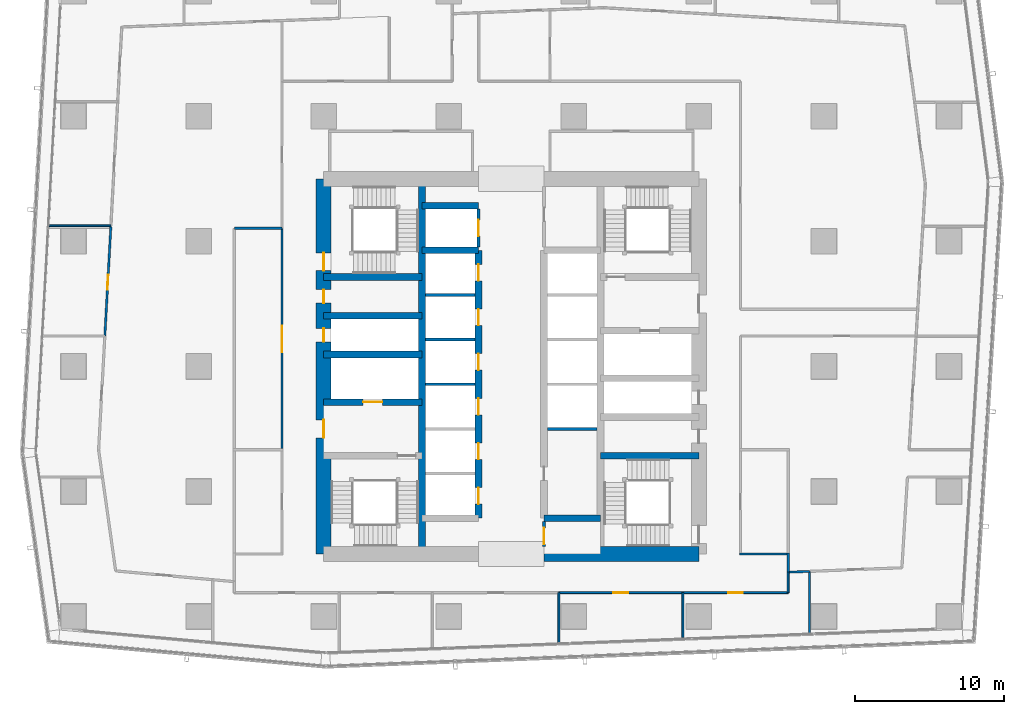
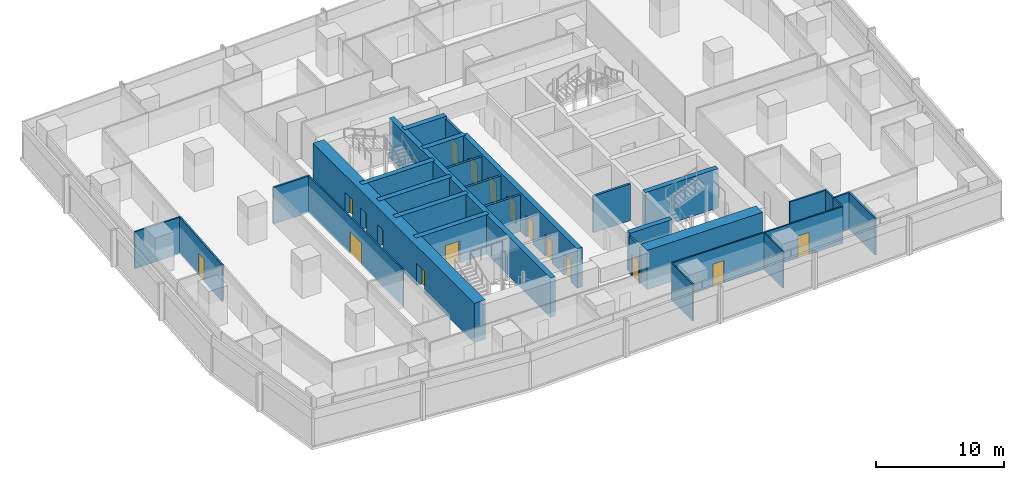
# One storey, part 29 of 40: 31 walls, 17 doors, 17 openings.
"""IFC4 building model written with IfcOpenShell, lengths in metres."""

import ifcopenshell
import ifcopenshell.guid

model = None  # the IFC model being written
_history = None  # IfcOwnerHistory: only IFC2X3 demands one
_inside = {}  # id of a spatial element -> (the spatial element, [elements in it])
_under = {}  # id of a project, library or spatial element -> (it, [spatial elements below it])
_declared = {}  # id of a project -> (the project, [libraries it declares])
_typed = {}  # id of a type object -> (the type object, [elements of that type])
_made_of = {}  # id of a material, layer set ... -> (it, [elements and type objects made of it])


def new_model(schema):
    """Start an empty IFC model of exactly this schema.

    Asked for "IFC4X3", IfcOpenShell would pick the latest addendum, in which some entities
    have other attributes; the version numbers below select the first issue.
    IFC2X3 requires an IfcOwnerHistory on every rooted entity: one is made here for all.
    """
    global model, _history
    if schema == "IFC4X3":
        model = ifcopenshell.file(schema_version=(4, 3, 0, 0))
    else:
        model = ifcopenshell.file(schema=schema)
    _inside.clear()
    _under.clear()
    _declared.clear()
    _typed.clear()
    _made_of.clear()
    _history = None
    if model.schema == "IFC2X3":
        org = make("IfcOrganization", Name="unknown")
        user = make(
            "IfcPersonAndOrganization",
            ThePerson=make("IfcPerson", FamilyName="unknown"),
            TheOrganization=org,
        )
        app = make(
            "IfcApplication",
            ApplicationDeveloper=org,
            Version="unknown",
            ApplicationFullName="unknown",
            ApplicationIdentifier="unknown",
        )
        _history = make(
            "IfcOwnerHistory",
            OwningUser=user,
            OwningApplication=app,
            ChangeAction="ADDED",
            CreationDate=0,
        )
    return model


def make(cls, **values):
    """One entity of the class cls with the attributes given. An attribute that is None is left unset."""
    return model.create_entity(
        cls, **{name: value for name, value in values.items() if value is not None}
    )


def rooted(cls, **values):
    """An entity with a GlobalId (a new one), such as an element, a storey or a relation."""
    return make(cls, GlobalId=ifcopenshell.guid.new(), OwnerHistory=_history, **values)


def si_unit(unit_type, name, prefix=None):
    """IfcSIUnit, for example si_unit("LENGTHUNIT", "METRE", prefix="MILLI")."""
    return make("IfcSIUnit", UnitType=unit_type, Prefix=prefix, Name=name)


def assignment(units):
    """IfcUnitAssignment: the units of a project."""
    return None if units is None else make("IfcUnitAssignment", Units=units)


def point(xyz):
    """IfcCartesianPoint."""
    return None if xyz is None else make("IfcCartesianPoint", Coordinates=xyz)


def direction(xyz):
    """IfcDirection."""
    return None if xyz is None else make("IfcDirection", DirectionRatios=xyz)


def frame(location, z_axis=None, x_axis=None):
    """IfcAxis2Placement3D, a coordinate frame: its origin and axes. An axis left out is left unset."""
    return make(
        "IfcAxis2Placement3D",
        Location=point(location),
        Axis=direction(z_axis),
        RefDirection=direction(x_axis),
    )


def frame_2d(location, x_axis=None):
    """IfcAxis2Placement2D, a coordinate frame in the plane: its origin and x axis."""
    return make(
        "IfcAxis2Placement2D", Location=point(location), RefDirection=direction(x_axis)
    )


def origin():
    """The frame at (0, 0, 0) with its axes left unset."""
    return frame((0.0, 0.0, 0.0))


def place(relative_to, where):
    """IfcLocalPlacement: puts the frame where relative to a parent placement (None: the world)."""
    return make(
        "IfcLocalPlacement", PlacementRelTo=relative_to, RelativePlacement=where
    )


def context(
    kind, dimensions, precision=None, world=None, true_north=None, identifier=None
):
    """IfcGeometricRepresentationContext, for example the 3D "Model" context."""
    return make(
        "IfcGeometricRepresentationContext",
        ContextIdentifier=identifier,
        ContextType=kind,
        CoordinateSpaceDimension=dimensions,
        Precision=precision,
        WorldCoordinateSystem=world,
        TrueNorth=true_north,
    )


def subcontext(parent, identifier, kind, view, scale=None):
    """IfcGeometricRepresentationSubContext, for example "Body" below "Model"."""
    return make(
        "IfcGeometricRepresentationSubContext",
        ContextIdentifier=identifier,
        ContextType=kind,
        ParentContext=parent,
        TargetScale=scale,
        TargetView=view,
    )


def project(units=None, contexts=None):
    """IfcProject with its units and contexts."""
    return rooted(
        "IfcProject",
        Name="project",
        RepresentationContexts=contexts,
        UnitsInContext=assignment(units),
    )


def spatial(cls, under=None, at=None, **own):
    """A site, building, storey or space (cls), placed at a placement, below another one or the project."""
    s = rooted(cls, ObjectPlacement=at, **own)
    if under is not None:
        _under.setdefault(under.id(), (under, []))[1].append(s)
    return s


def profile(cls, at=None, kind="AREA", **sizes):
    """A parametric profile (cls). Its sizes go by their IFC names, for example OverallWidth=200.0."""
    return make(cls, ProfileType=kind, Position=at, **sizes)


def rectangle(**sizes):
    """IfcRectangleProfileDef."""
    return profile("IfcRectangleProfileDef", **sizes)


def extrude(swept, where, along, depth):
    """IfcExtrudedAreaSolid: the profile swept, set in the frame where, extruded along a direction by depth."""
    return make(
        "IfcExtrudedAreaSolid",
        SweptArea=swept,
        Position=where,
        ExtrudedDirection=direction(along),
        Depth=depth,
    )


def shape(context_of_items, identifier, shape_type, items):
    """IfcShapeRepresentation: the items that make up one representation, for example the "Body"."""
    return make(
        "IfcShapeRepresentation",
        ContextOfItems=context_of_items,
        RepresentationIdentifier=identifier,
        RepresentationType=shape_type,
        Items=items,
    )


def material(Name=None, Category=None):
    """IfcMaterial."""
    return make("IfcMaterial", Name=Name, Category=Category)


def layer(
    of_material, thickness, ventilated=None, Name=None, Category=None, Priority=None
):
    """IfcMaterialLayer: one layer of a wall or slab, of a material (None: an air gap)."""
    return make(
        "IfcMaterialLayer",
        Material=of_material,
        LayerThickness=thickness,
        IsVentilated=ventilated,
        Name=Name,
        Category=Category,
        Priority=Priority,
    )


def layer_set(layers, Name=None):
    """IfcMaterialLayerSet."""
    return make("IfcMaterialLayerSet", MaterialLayers=layers, LayerSetName=Name)


def made_of(thing, what):
    """Note that an element or type object is made of a material, layer set ...; save() writes the relation."""
    if what is not None:
        _made_of.setdefault(what.id(), (what, []))[1].append(thing)
    return thing


def type_object(cls, material=None, **own):
    """A type object (cls), such as IfcWallType, which elements share."""
    return made_of(rooted(cls, **own), material)


def element(
    cls,
    number,
    at=None,
    inside=None,
    cuts=None,
    type_object=None,
    material=None,
    context=None,
    identifier="Body",
    shape_type=None,
    held_by="IfcProductDefinitionShape",
    body=None,
    shapes=None,
    **own,
):
    """One element of the class cls, such as IfcWall. Its Tag is "e" and its number.

    at: its placement. inside: the storey or other place that contains it. cuts: it is an
    opening in that element (IfcRelVoidsElement). A single representation is given by context,
    identifier, shape_type and body (its items); several are given by shapes. held_by: the class
    of the entity that holds the representations. save() writes the other relations.
    """
    e = rooted(cls, Tag="e%d" % number, ObjectPlacement=at, **own)
    if body is not None:
        shapes = [shape(context, identifier, shape_type, body)]
    if shapes is not None:
        e.Representation = make(held_by, Representations=shapes)
    if inside is not None:
        _inside.setdefault(inside.id(), (inside, []))[1].append(e)
    if cuts is not None:
        rooted(
            "IfcRelVoidsElement", RelatingBuildingElement=cuts, RelatedOpeningElement=e
        )
    if type_object is not None:
        _typed.setdefault(type_object.id(), (type_object, []))[1].append(e)
    return made_of(e, material)


def fill(opening, filler):
    """IfcRelFillsElement: the door or window that sits in an opening."""
    return rooted(
        "IfcRelFillsElement",
        RelatingOpeningElement=opening,
        RelatedBuildingElement=filler,
    )


def aggregate(whole, parts):
    """IfcRelAggregates: a whole, such as a stair, and the parts it consists of."""
    return rooted("IfcRelAggregates", RelatingObject=whole, RelatedObjects=parts)


def save(model, path):
    """Write the relations noted so far, then the file.

    IfcRelAggregates (storeys below a building ...), IfcRelContainedInSpatialStructure (elements
    in a storey), IfcRelDefinesByType, IfcRelAssociatesMaterial and IfcRelDeclares: one each for
    every whole, place, type object, material and project.
    """
    for whole, parts in _under.values():
        aggregate(whole, parts)
    for where, things in _inside.values():
        rooted(
            "IfcRelContainedInSpatialStructure",
            RelatedElements=things,
            RelatingStructure=where,
        )
    for kind, things in _typed.values():
        rooted("IfcRelDefinesByType", RelatedObjects=things, RelatingType=kind)
    for what, things in _made_of.values():
        rooted("IfcRelAssociatesMaterial", RelatedObjects=things, RelatingMaterial=what)
    for by, libraries in _declared.values():
        rooted("IfcRelDeclares", RelatingContext=by, RelatedDefinitions=libraries)
    model.write(path)


model = new_model("IFC4")

# Units and contexts
model_context = context("Model", 3, precision=1e-05, world=origin(), true_north=direction((0.0, 1.0)))
body_context = subcontext(model_context, "Body", "Model", "MODEL_VIEW")
ifc_project = project(units=[si_unit("LENGTHUNIT", "METRE"), si_unit("AREAUNIT", "SQUARE_METRE"), si_unit("VOLUMEUNIT", "CUBIC_METRE"), si_unit("PLANEANGLEUNIT", "RADIAN"), si_unit("MASSUNIT", "GRAM", prefix="KILO")], contexts=[model_context])

# Site, building, storey
site_placement = place(None, origin())
site = spatial("IfcSite", under=ifc_project, at=site_placement, CompositionType="ELEMENT")
building_placement = place(site_placement, origin())
building = spatial("IfcBuilding", under=site, at=building_placement, Name="Rekha Terrace Tower", CompositionType="ELEMENT")
storey_placement = place(building_placement, frame((0.0, 0.0, 125.300048828125)))
storey = spatial("IfcBuildingStorey", under=building, at=storey_placement, Name="L31", CompositionType="ELEMENT", Elevation=125.300048828125)

# Wall
ifc_material_1 = material(Name="Concrete M70", Category="concrete")
ifc_layer_1 = layer(ifc_material_1, 0.449951171875)
ifc_layer_set_1 = layer_set([ifc_layer_1], Name="Concrete M70")
wall_type_1 = type_object("IfcWallType", Name="CI2 450 core internal shear wall", PredefinedType="SHEAR", material=ifc_layer_set_1)
wall_1_placement = place(storey_placement, frame((31.800048828125, 21.0, 0.0), z_axis=(0.0, 0.0, 1.0), x_axis=(0.0, 1.0, 0.0)))
element("IfcWall", 1, at=wall_1_placement, inside=storey, type_object=wall_type_1, Name="Core wall X318 L31", PredefinedType="SHEAR", context=body_context, shape_type="SweptSolid", body=[
    extrude(rectangle(XDim=25.199951171875, YDim=0.449951171875, at=frame_2d((12.60009765625, 0.0))), origin(), (0.0, 0.0, 1.0), 3.75),
])

# Wall, openings, doors
wall_2_placement = place(storey_placement, frame((35.60009765625, 23.39990234375, 0.0), z_axis=(0.0, 0.0, 1.0), x_axis=(0.0, 1.0, 0.0)))
wall_2 = element("IfcWall", 2, at=wall_2_placement, inside=storey, type_object=wall_type_1, Name="Core wall X356 L31", PredefinedType="SHEAR", context=body_context, shape_type="SweptSolid", body=[
    extrude(rectangle(XDim=18.0, YDim=0.449951171875, at=frame_2d((9.0, 0.0))), origin(), (0.0, 0.0, 1.0), 3.75),
])
opening_1_placement = place(wall_2_placement, frame((0.949951171875, 0.0, 0.0)))
opening_1 = element("IfcOpeningElement", 3, at=opening_1_placement, cuts=wall_2, Name="Opening LD1", PredefinedType="OPENING", context=body_context, shape_type="SweptSolid", body=[
    extrude(rectangle(XDim=1.10009765625, YDim=2.10009765625, at=frame_2d((0.550048828125, 1.050048828125))), frame((0.0, 0.23486328125, 0.0), z_axis=(0.0, -1.0, 0.0), x_axis=(1.0, 0.0, 0.0)), (0.0, 0.0, 1.0), 0.469970703125),
])
opening_2_placement = place(wall_2_placement, frame((3.949951171875, 0.0, 0.0)))
opening_2 = element("IfcOpeningElement", 4, at=opening_2_placement, cuts=wall_2, Name="Opening LD1", PredefinedType="OPENING", context=body_context, shape_type="SweptSolid", body=[
    extrude(rectangle(XDim=1.10009765625, YDim=2.10009765625, at=frame_2d((0.550048828125, 1.050048828125))), frame((0.0, 0.23486328125, 0.0), z_axis=(0.0, -1.0, 0.0), x_axis=(1.0, 0.0, 0.0)), (0.0, 0.0, 1.0), 0.469970703125),
])
opening_3_placement = place(wall_2_placement, frame((6.949951171875, 0.0, 0.0)))
opening_3 = element("IfcOpeningElement", 5, at=opening_3_placement, cuts=wall_2, Name="Opening LD1", PredefinedType="OPENING", context=body_context, shape_type="SweptSolid", body=[
    extrude(rectangle(XDim=1.10009765625, YDim=2.10009765625, at=frame_2d((0.550048828125, 1.050048828125))), frame((0.0, 0.23486328125, 0.0), z_axis=(0.0, -1.0, 0.0), x_axis=(1.0, 0.0, 0.0)), (0.0, 0.0, 1.0), 0.469970703125),
])
opening_4_placement = place(wall_2_placement, frame((9.949951171875, 0.0, 0.0)))
opening_4 = element("IfcOpeningElement", 6, at=opening_4_placement, cuts=wall_2, Name="Opening LD1", PredefinedType="OPENING", context=body_context, shape_type="SweptSolid", body=[
    extrude(rectangle(XDim=1.10009765625, YDim=2.10009765625, at=frame_2d((0.550048828125, 1.050048828125))), frame((0.0, 0.23486328125, 0.0), z_axis=(0.0, -1.0, 0.0), x_axis=(1.0, 0.0, 0.0)), (0.0, 0.0, 1.0), 0.469970703125),
])
opening_5_placement = place(wall_2_placement, frame((12.949951171875, 0.0, 0.0)))
opening_5 = element("IfcOpeningElement", 7, at=opening_5_placement, cuts=wall_2, Name="Opening LD1", PredefinedType="OPENING", context=body_context, shape_type="SweptSolid", body=[
    extrude(rectangle(XDim=1.10009765625, YDim=2.10009765625, at=frame_2d((0.550048828125, 1.050048828125))), frame((0.0, 0.23486328125, 0.0), z_axis=(0.0, -1.0, 0.0), x_axis=(1.0, 0.0, 0.0)), (0.0, 0.0, 1.0), 0.469970703125),
])
opening_6_placement = place(wall_2_placement, frame((15.949951171875, 0.0, 0.0)))
opening_6 = element("IfcOpeningElement", 8, at=opening_6_placement, cuts=wall_2, Name="Opening LD1", PredefinedType="OPENING", context=body_context, shape_type="SweptSolid", body=[
    extrude(rectangle(XDim=1.10009765625, YDim=2.10009765625, at=frame_2d((0.550048828125, 1.050048828125))), frame((0.0, 0.23486328125, 0.0), z_axis=(0.0, -1.0, 0.0), x_axis=(1.0, 0.0, 0.0)), (0.0, 0.0, 1.0), 0.469970703125),
])
ifc_material_2 = material(Name="Stainless steel sliding landing door", Category="steel")
door_type_1 = type_object("IfcDoorType", Name="LD1 1100x2100 lift landing door", OperationType="SLIDING_TO_LEFT", PredefinedType="USERDEFINED", material=ifc_material_2)
door_1_placement = place(opening_1_placement, origin())
door_1 = element("IfcDoor", 9, at=door_1_placement, inside=storey, type_object=door_type_1, Name="Lift B1 landing door L31", ObjectType="LIFT LANDING DOOR", OperationType="SLIDING_TO_LEFT", OverallHeight=2.10009765625, OverallWidth=1.10009765625, PredefinedType="USERDEFINED", context=body_context, shape_type="SweptSolid", body=[
    extrude(rectangle(XDim=1.10009765625, YDim=2.10009765625, at=frame_2d((0.550048828125, 1.050048828125))), frame((0.0, 0.02490234375, 0.0), z_axis=(0.0, -1.0, 0.0), x_axis=(1.0, 0.0, 0.0)), (0.0, 0.0, 1.0), 0.050048828125),
])
fill(opening_1, door_1)
door_2_placement = place(opening_2_placement, origin())
door_2 = element("IfcDoor", 10, at=door_2_placement, inside=storey, type_object=door_type_1, Name="Lift B2 landing door L31", ObjectType="LIFT LANDING DOOR", OperationType="SLIDING_TO_LEFT", OverallHeight=2.10009765625, OverallWidth=1.10009765625, PredefinedType="USERDEFINED", context=body_context, shape_type="SweptSolid", body=[
    extrude(rectangle(XDim=1.10009765625, YDim=2.10009765625, at=frame_2d((0.550048828125, 1.050048828125))), frame((0.0, 0.02490234375, 0.0), z_axis=(0.0, -1.0, 0.0), x_axis=(1.0, 0.0, 0.0)), (0.0, 0.0, 1.0), 0.050048828125),
])
fill(opening_2, door_2)
door_3_placement = place(opening_3_placement, origin())
door_3 = element("IfcDoor", 11, at=door_3_placement, inside=storey, type_object=door_type_1, Name="Lift B3 landing door L31", ObjectType="LIFT LANDING DOOR", OperationType="SLIDING_TO_LEFT", OverallHeight=2.10009765625, OverallWidth=1.10009765625, PredefinedType="USERDEFINED", context=body_context, shape_type="SweptSolid", body=[
    extrude(rectangle(XDim=1.10009765625, YDim=2.10009765625, at=frame_2d((0.550048828125, 1.050048828125))), frame((0.0, 0.02490234375, 0.0), z_axis=(0.0, -1.0, 0.0), x_axis=(1.0, 0.0, 0.0)), (0.0, 0.0, 1.0), 0.050048828125),
])
fill(opening_3, door_3)
door_4_placement = place(opening_4_placement, origin())
door_4 = element("IfcDoor", 12, at=door_4_placement, inside=storey, type_object=door_type_1, Name="Lift B4 landing door L31", ObjectType="LIFT LANDING DOOR", OperationType="SLIDING_TO_LEFT", OverallHeight=2.10009765625, OverallWidth=1.10009765625, PredefinedType="USERDEFINED", context=body_context, shape_type="SweptSolid", body=[
    extrude(rectangle(XDim=1.10009765625, YDim=2.10009765625, at=frame_2d((0.550048828125, 1.050048828125))), frame((0.0, 0.02490234375, 0.0), z_axis=(0.0, -1.0, 0.0), x_axis=(1.0, 0.0, 0.0)), (0.0, 0.0, 1.0), 0.050048828125),
])
fill(opening_4, door_4)
door_5_placement = place(opening_5_placement, origin())
door_5 = element("IfcDoor", 13, at=door_5_placement, inside=storey, type_object=door_type_1, Name="Lift B5 landing door L31", ObjectType="LIFT LANDING DOOR", OperationType="SLIDING_TO_LEFT", OverallHeight=2.10009765625, OverallWidth=1.10009765625, PredefinedType="USERDEFINED", context=body_context, shape_type="SweptSolid", body=[
    extrude(rectangle(XDim=1.10009765625, YDim=2.10009765625, at=frame_2d((0.550048828125, 1.050048828125))), frame((0.0, 0.02490234375, 0.0), z_axis=(0.0, -1.0, 0.0), x_axis=(1.0, 0.0, 0.0)), (0.0, 0.0, 1.0), 0.050048828125),
])
fill(opening_5, door_5)
door_6_placement = place(opening_6_placement, origin())
door_6 = element("IfcDoor", 14, at=door_6_placement, inside=storey, type_object=door_type_1, Name="Lift B6 landing door L31", ObjectType="LIFT LANDING DOOR", OperationType="SLIDING_TO_LEFT", OverallHeight=2.10009765625, OverallWidth=1.10009765625, PredefinedType="USERDEFINED", context=body_context, shape_type="SweptSolid", body=[
    extrude(rectangle(XDim=1.10009765625, YDim=2.10009765625, at=frame_2d((0.550048828125, 1.050048828125))), frame((0.0, 0.02490234375, 0.0), z_axis=(0.0, -1.0, 0.0), x_axis=(1.0, 0.0, 0.0)), (0.0, 0.0, 1.0), 0.050048828125),
])
fill(opening_6, door_6)

# Walls
for number, where, z_axis, x_axis, name in (
    (15, (31.800048828125, 41.39990234375, 0.0), (0.0, 0.0, 1.0), (1.0, 0.0, 0.0), "Core wall Y414W L31"),
    (16, (31.800048828125, 44.39990234375, 0.0), (0.0, 0.0, 1.0), (1.0, 0.0, 0.0), "Core wall Y444W L31"),
    (17, (40.0, 23.39990234375, 0.0), (0.0, 0.0, 1.0), (1.0, 0.0, 0.0), "Core wall Y234E L31"),
):
    element("IfcWall", number, at=place(storey_placement, frame(where, z_axis=z_axis, x_axis=x_axis)), inside=storey, type_object=wall_type_1, Name=name, PredefinedType="SHEAR", context=body_context, shape_type="SweptSolid", body=[
        extrude(rectangle(XDim=3.800048828125, YDim=0.449951171875, at=frame_2d((1.89990234375, 0.0))), origin(), (0.0, 0.0, 1.0), 3.75),
    ])

# Wall, opening, door
wall_3_placement = place(storey_placement, frame((25.199951171875, 31.199951171875, 0.0), z_axis=(0.0, 0.0, 1.0), x_axis=(1.0, 0.0, 0.0)))
wall_3 = element("IfcWall", 18, at=wall_3_placement, inside=storey, type_object=wall_type_1, Name="Core wall Y312W L31", PredefinedType="SHEAR", context=body_context, shape_type="SweptSolid", body=[
    extrude(rectangle(XDim=6.60009765625, YDim=0.449951171875, at=frame_2d((3.300048828125, 0.0))), origin(), (0.0, 0.0, 1.0), 3.75),
])
opening_7_placement = place(wall_3_placement, frame((2.64990234375, 0.0, 0.0)))
opening_7 = element("IfcOpeningElement", 19, at=opening_7_placement, cuts=wall_3, Name="Opening LD2", PredefinedType="OPENING", context=body_context, shape_type="SweptSolid", body=[
    extrude(rectangle(XDim=1.300048828125, YDim=2.10009765625, at=frame_2d((0.64990234375, 1.050048828125))), frame((0.0, 0.23486328125, 0.0), z_axis=(0.0, -1.0, 0.0), x_axis=(1.0, 0.0, 0.0)), (0.0, 0.0, 1.0), 0.469970703125),
])
door_type_2 = type_object("IfcDoorType", Name="LD2 1300x2100 fire lift landing door", OperationType="SLIDING_TO_LEFT", PredefinedType="USERDEFINED", material=ifc_material_2)
door_7_placement = place(opening_7_placement, origin())
door_7 = element("IfcDoor", 20, at=door_7_placement, inside=storey, type_object=door_type_2, Name="Lift FL1 landing door L31", ObjectType="LIFT LANDING DOOR", OperationType="SLIDING_TO_LEFT", OverallHeight=2.10009765625, OverallWidth=1.300048828125, PredefinedType="USERDEFINED", context=body_context, shape_type="SweptSolid", body=[
    extrude(rectangle(XDim=1.300048828125, YDim=2.10009765625, at=frame_2d((0.64990234375, 1.050048828125))), frame((0.0, 0.02490234375, 0.0), z_axis=(0.0, -1.0, 0.0), x_axis=(1.0, 0.0, 0.0)), (0.0, 0.0, 1.0), 0.050048828125),
])
fill(opening_7, door_7)

# Walls
for number, where, z_axis, x_axis, name in (
    (21, (25.199951171875, 34.39990234375, 0.0), (0.0, 0.0, 1.0), (1.0, 0.0, 0.0), "Core wall Y344W L31"),
    (22, (25.199951171875, 37.0, 0.0), (0.0, 0.0, 1.0), (1.0, 0.0, 0.0), "Core wall Y370W L31"),
    (23, (25.199951171875, 39.60009765625, 0.0), (0.0, 0.0, 1.0), (1.0, 0.0, 0.0), "Core wall Y396W L31"),
):
    element("IfcWall", number, at=place(storey_placement, frame(where, z_axis=z_axis, x_axis=x_axis)), inside=storey, type_object=wall_type_1, Name=name, PredefinedType="SHEAR", context=body_context, shape_type="SweptSolid", body=[
        extrude(rectangle(XDim=6.60009765625, YDim=0.449951171875, at=frame_2d((3.300048828125, 0.0))), origin(), (0.0, 0.0, 1.0), 3.75),
    ])
wall_4_placement = place(storey_placement, frame((43.800048828125, 27.60009765625, 0.0), z_axis=(0.0, 0.0, 1.0), x_axis=(1.0, 0.0, 0.0)))
element("IfcWall", 24, at=wall_4_placement, inside=storey, type_object=wall_type_1, Name="Core wall Y276E L31", PredefinedType="SHEAR", context=body_context, shape_type="SweptSolid", body=[
    extrude(rectangle(XDim=6.599853515625, YDim=0.449951171875, at=frame_2d((3.2998046875, 0.0))), origin(), (0.0, 0.0, 1.0), 3.75),
])
ifc_layer_2 = layer(ifc_material_1, 1.0)
ifc_layer_set_2 = layer_set([ifc_layer_2], Name="Concrete M70")
wall_type_2 = type_object("IfcWallType", Name="SW2 1000 core outer shear wall", PredefinedType="SHEAR", material=ifc_layer_set_2)
wall_5_placement = place(storey_placement, frame((40.0, 21.0, 0.0), z_axis=(0.0, 0.0, 1.0), x_axis=(1.0, 0.0, 0.0)))
element("IfcWall", 25, at=wall_5_placement, inside=storey, type_object=wall_type_2, Name="Core wall S2 L31", PredefinedType="SHEAR", context=body_context, shape_type="SweptSolid", body=[
    extrude(rectangle(XDim=10.39990234375, YDim=1.0, at=frame_2d((5.199951171875, 0.0))), origin(), (0.0, 0.0, 1.0), 3.75),
])

# Wall, openings, doors
wall_6_placement = place(storey_placement, frame((25.199951171875, 21.0, 0.0), z_axis=(0.0, 0.0, 1.0), x_axis=(0.0, 1.0, 0.0)))
wall_6 = element("IfcWall", 26, at=wall_6_placement, inside=storey, type_object=wall_type_2, Name="Core wall W L31", PredefinedType="SHEAR", context=body_context, shape_type="SweptSolid", body=[
    extrude(rectangle(XDim=25.199951171875, YDim=1.0, at=frame_2d((12.60009765625, 0.0))), origin(), (0.0, 0.0, 1.0), 3.75),
])
opening_8_placement = place(wall_6_placement, frame((7.800048828125, 0.0, 0.0)))
opening_8 = element("IfcOpeningElement", 27, at=opening_8_placement, cuts=wall_6, Name="Opening D2", PredefinedType="OPENING", context=body_context, shape_type="SweptSolid", body=[
    extrude(rectangle(XDim=1.199951171875, YDim=2.10009765625, at=frame_2d((0.60009765625, 1.050048828125))), frame((0.0, 0.510009765625, 0.0), z_axis=(0.0, -1.0, 0.0), x_axis=(1.0, 0.0, 0.0)), (0.0, 0.0, 1.0), 1.02001953125),
])
opening_9_placement = place(wall_6_placement, frame((14.25, 0.0, 0.0)))
opening_9 = element("IfcOpeningElement", 28, at=opening_9_placement, cuts=wall_6, Name="Opening D5", PredefinedType="OPENING", context=body_context, shape_type="SweptSolid", body=[
    extrude(rectangle(XDim=0.89990234375, YDim=2.10009765625, at=frame_2d((0.449951171875, 1.050048828125))), frame((0.0, 0.510009765625, 0.0), z_axis=(0.0, -1.0, 0.0), x_axis=(1.0, 0.0, 0.0)), (0.0, 0.0, 1.0), 1.02001953125),
])
opening_10_placement = place(wall_6_placement, frame((16.85009765625, 0.0, 0.0)))
opening_10 = element("IfcOpeningElement", 29, at=opening_10_placement, cuts=wall_6, Name="Opening D5", PredefinedType="OPENING", context=body_context, shape_type="SweptSolid", body=[
    extrude(rectangle(XDim=0.89990234375, YDim=2.10009765625, at=frame_2d((0.449951171875, 1.050048828125))), frame((0.0, 0.510009765625, 0.0), z_axis=(0.0, -1.0, 0.0), x_axis=(1.0, 0.0, 0.0)), (0.0, 0.0, 1.0), 1.02001953125),
])
opening_11_placement = place(wall_6_placement, frame((19.02490234375, 0.0, 0.0)))
opening_11 = element("IfcOpeningElement", 30, at=opening_11_placement, cuts=wall_6, Name="Opening D1", PredefinedType="OPENING", context=body_context, shape_type="SweptSolid", body=[
    extrude(rectangle(XDim=1.199951171875, YDim=2.10009765625, at=frame_2d((0.60009765625, 1.050048828125))), frame((0.0, 0.510009765625, 0.0), z_axis=(0.0, -1.0, 0.0), x_axis=(1.0, 0.0, 0.0)), (0.0, 0.0, 1.0), 1.02001953125),
])
ifc_material_3 = material(Name="Steel fire door", Category="steel")
door_type_3 = type_object("IfcDoorType", Name="D1 1200x2100 stair fire door", OperationType="SINGLE_SWING_RIGHT", PredefinedType="DOOR", material=ifc_material_3)
door_8_placement = place(opening_11_placement, origin())
door_8 = element("IfcDoor", 31, at=door_8_placement, inside=storey, type_object=door_type_3, Name="Stair ST4 door L31", OperationType="SINGLE_SWING_RIGHT", OverallHeight=2.10009765625, OverallWidth=1.199951171875, PredefinedType="DOOR", context=body_context, shape_type="SweptSolid", body=[
    extrude(rectangle(XDim=1.199951171875, YDim=2.10009765625, at=frame_2d((0.60009765625, 1.050048828125))), frame((0.0, 0.02490234375, 0.0), z_axis=(0.0, -1.0, 0.0), x_axis=(1.0, 0.0, 0.0)), (0.0, 0.0, 1.0), 0.050048828125),
])
fill(opening_11, door_8)
door_type_4 = type_object("IfcDoorType", Name="D2 1200x2100 firefighting lobby door", OperationType="SINGLE_SWING_LEFT", PredefinedType="DOOR", material=ifc_material_3)
door_9_placement = place(opening_8_placement, origin())
door_9 = element("IfcDoor", 32, at=door_9_placement, inside=storey, type_object=door_type_4, Name="Door flb1 L31", OperationType="SINGLE_SWING_LEFT", OverallHeight=2.10009765625, OverallWidth=1.199951171875, PredefinedType="DOOR", context=body_context, shape_type="SweptSolid", body=[
    extrude(rectangle(XDim=1.199951171875, YDim=2.10009765625, at=frame_2d((0.60009765625, 1.050048828125))), frame((0.0, 0.02490234375, 0.0), z_axis=(0.0, -1.0, 0.0), x_axis=(1.0, 0.0, 0.0)), (0.0, 0.0, 1.0), 0.050048828125),
])
fill(opening_8, door_9)
door_type_5 = type_object("IfcDoorType", Name="D5 900x2100 riser access door", OperationType="SINGLE_SWING_LEFT", PredefinedType="DOOR", material=ifc_material_3)
door_10_placement = place(opening_9_placement, origin())
door_10 = element("IfcDoor", 33, at=door_10_placement, inside=storey, type_object=door_type_5, Name="Door rs1 L31", OperationType="SINGLE_SWING_LEFT", OverallHeight=2.10009765625, OverallWidth=0.89990234375, PredefinedType="DOOR", context=body_context, shape_type="SweptSolid", body=[
    extrude(rectangle(XDim=0.89990234375, YDim=2.10009765625, at=frame_2d((0.449951171875, 1.050048828125))), frame((0.0, 0.02490234375, 0.0), z_axis=(0.0, -1.0, 0.0), x_axis=(1.0, 0.0, 0.0)), (0.0, 0.0, 1.0), 0.050048828125),
])
fill(opening_9, door_10)
door_11_placement = place(opening_10_placement, origin())
door_11 = element("IfcDoor", 34, at=door_11_placement, inside=storey, type_object=door_type_5, Name="Door elw L31", OperationType="SINGLE_SWING_LEFT", OverallHeight=2.10009765625, OverallWidth=0.89990234375, PredefinedType="DOOR", context=body_context, shape_type="SweptSolid", body=[
    extrude(rectangle(XDim=0.89990234375, YDim=2.10009765625, at=frame_2d((0.449951171875, 1.050048828125))), frame((0.0, 0.02490234375, 0.0), z_axis=(0.0, -1.0, 0.0), x_axis=(1.0, 0.0, 0.0)), (0.0, 0.0, 1.0), 0.050048828125),
])
fill(opening_10, door_11)

# Walls
ifc_material_4 = material(Name="Concrete block masonry, 1 hour", Category="masonry")
ifc_layer_3 = layer(ifc_material_4, 0.14990234375)
ifc_layer_set_3 = layer_set([ifc_layer_3], Name="Concrete block masonry, 1 hour")
wall_type_3 = type_object("IfcWallType", Name="WP2 150 tenancy partition", PredefinedType="PARTITIONING", material=ifc_layer_set_3)
wall_7_placement = place(storey_placement, frame((53.125, 21.0, 0.0), z_axis=(0.0, 0.0, 1.0), x_axis=(1.0, 0.0, 0.0)))
element("IfcWall", 35, at=wall_7_placement, inside=storey, type_object=wall_type_3, Name="Men's WC wall L31", PredefinedType="PARTITIONING", context=body_context, shape_type="SweptSolid", body=[
    extrude(rectangle(XDim=3.35009765625, YDim=0.14990234375, at=frame_2d((1.675048828125, 0.0))), origin(), (0.0, 0.0, 1.0), 3.5),
])
wall_8_placement = place(storey_placement, frame((57.8369140625, 19.830078125, 0.0), z_axis=(0.0, 0.0, 1.0), x_axis=(0.0, -1.0, 0.0)))
element("IfcWall", 36, at=wall_8_placement, inside=storey, type_object=wall_type_3, Name="Partition L31-O1b", PredefinedType="PARTITIONING", context=body_context, shape_type="SweptSolid", body=[
    extrude(rectangle(XDim=4.154052734375, YDim=0.14990234375, at=frame_2d((2.0771484375, 0.0))), origin(), (0.0, 0.0, 1.0), 3.5),
])
wall_9_placement = place(storey_placement, frame((57.8359375, 19.830078125, 0.0), z_axis=(0.0, 0.0, 1.0), x_axis=(-0.99923637883, -0.039072486761, 0.0)))
element("IfcWall", 37, at=wall_9_placement, inside=storey, type_object=wall_type_3, Name="Partition L31-O1b", PredefinedType="PARTITIONING", context=body_context, shape_type="SweptSolid", body=[
    extrude(rectangle(XDim=1.43701171875, YDim=0.14990234375, at=frame_2d((0.718505859375, 0.0))), origin(), (0.0, 0.0, 1.0), 3.5),
])
wall_10_placement = place(storey_placement, frame((56.39990234375, 19.77392578125, 0.0), z_axis=(0.0, 0.0, 1.0), x_axis=(0.0, 1.0, 0.0)))
element("IfcWall", 38, at=wall_10_placement, inside=storey, type_object=wall_type_3, Name="Partition L31-O1b", PredefinedType="PARTITIONING", context=body_context, shape_type="SweptSolid", body=[
    extrude(rectangle(XDim=1.301025390625, YDim=0.14990234375, at=frame_2d((0.650390625, 0.0))), origin(), (0.0, 0.0, 1.0), 3.5),
])
wall_11_placement = place(storey_placement, frame((22.39990234375, 42.873046875, 0.0), z_axis=(0.0, 0.0, 1.0), x_axis=(-1.0, 0.0, 0.0)))
element("IfcWall", 39, at=wall_11_placement, inside=storey, type_object=wall_type_3, Name="Partition L31-O1c", PredefinedType="PARTITIONING", context=body_context, shape_type="SweptSolid", body=[
    extrude(rectangle(XDim=3.199951171875, YDim=0.14990234375, at=frame_2d((1.60009765625, 0.0))), origin(), (0.0, 0.0, 1.0), 3.5),
])

# Wall, opening, door
wall_12_placement = place(storey_placement, frame((10.4990234375, 35.635009765625, 0.0), z_axis=(0.0, 0.0, 1.0), x_axis=(0.054773615864, 0.9984987987, 0.0)))
wall_12 = element("IfcWall", 40, at=wall_12_placement, inside=storey, type_object=wall_type_3, Name="Partition L31-O1c", PredefinedType="PARTITIONING", context=body_context, shape_type="SweptSolid", body=[
    extrude(rectangle(XDim=7.35888671875, YDim=0.14990234375, at=frame_2d((3.679443359375, 0.0))), origin(), (0.0, 0.0, 1.0), 3.5),
])
opening_12_placement = place(wall_12_placement, frame((3.1240234375, 0.0, 0.0)))
opening_12 = element("IfcOpeningElement", 41, at=opening_12_placement, cuts=wall_12, Name="Opening D9", PredefinedType="OPENING", context=body_context, shape_type="SweptSolid", body=[
    extrude(rectangle(XDim=1.0, YDim=2.10009765625, at=frame_2d((0.5, 1.050048828125))), frame((0.0, 0.0849609375, 0.0), z_axis=(0.0, -1.0, 0.0), x_axis=(1.0, 0.0, 0.0)), (0.0, 0.0, 1.0), 0.169921875),
])
ifc_material_5 = material(Name="Timber fire door", Category="wood")
door_type_6 = type_object("IfcDoorType", Name="D9 1000x2100 office door", OperationType="SINGLE_SWING_LEFT", PredefinedType="DOOR", material=ifc_material_5)
door_12_placement = place(opening_12_placement, origin())
door_12 = element("IfcDoor", 42, at=door_12_placement, inside=storey, type_object=door_type_6, Name="Door breakout lounge L31", OperationType="SINGLE_SWING_LEFT", OverallHeight=2.10009765625, OverallWidth=1.0, PredefinedType="DOOR", context=body_context, shape_type="SweptSolid", body=[
    extrude(rectangle(XDim=1.0, YDim=2.10009765625, at=frame_2d((0.5, 1.050048828125))), frame((0.0, 0.02490234375, 0.0), z_axis=(0.0, -1.0, 0.0), x_axis=(1.0, 0.0, 0.0)), (0.0, 0.0, 1.0), 0.050048828125),
])
fill(opening_12, door_12)

# Walls
ifc_material_6 = material(Name="Two layers of fire-rated gypsum board each side on steel studs, acoustic quilt, 1 hour", Category="steel")
ifc_layer_4 = layer(ifc_material_6, 0.125)
ifc_layer_set_4 = layer_set([ifc_layer_4], Name="Two layers of fire-rated gypsum board each side on steel studs, acoustic quilt, 1 hour")
wall_type_4 = type_object("IfcWallType", Name="WP3 125 office partition", PredefinedType="PARTITIONING", material=ifc_layer_set_4)
wall_13_placement = place(storey_placement, frame((10.905029296875, 43.0458984375, 0.0), z_axis=(0.0, 0.0, 1.0), x_axis=(-1.0, 0.0, 0.0)))
element("IfcWall", 43, at=wall_13_placement, inside=storey, type_object=wall_type_4, Name="Partition L31-12", PredefinedType="PARTITIONING", context=body_context, shape_type="SweptSolid", body=[
    extrude(rectangle(XDim=4.1259765625, YDim=0.125, at=frame_2d((2.06298828125, 0.0))), origin(), (0.0, 0.0, 1.0), 3.5),
])
wall_14_placement = place(storey_placement, frame((41.001953125, 15.051025390625, 0.0), z_axis=(0.0, 0.0, 1.0), x_axis=(0.0, 1.0, 0.0)))
element("IfcWall", 44, at=wall_14_placement, inside=storey, type_object=wall_type_4, Name="Partition L31-16", PredefinedType="PARTITIONING", context=body_context, shape_type="SweptSolid", body=[
    extrude(rectangle(XDim=3.348876953125, YDim=0.125, at=frame_2d((1.67431640625, 0.0))), origin(), (0.0, 0.0, 1.0), 3.5),
])

# Wall, opening, door
wall_15_placement = place(storey_placement, frame((41.001953125, 18.39990234375, 0.0), z_axis=(0.0, 0.0, 1.0), x_axis=(1.0, 0.0, 0.0)))
wall_15 = element("IfcWall", 45, at=wall_15_placement, inside=storey, type_object=wall_type_4, Name="Partition L31-16", PredefinedType="PARTITIONING", context=body_context, shape_type="SweptSolid", body=[
    extrude(rectangle(XDim=8.3271484375, YDim=0.125, at=frame_2d((4.16357421875, 0.0))), origin(), (0.0, 0.0, 1.0), 3.5),
])
opening_13_placement = place(wall_15_placement, frame((3.6630859375, 0.0, 0.0)))
opening_13 = element("IfcOpeningElement", 46, at=opening_13_placement, cuts=wall_15, Name="Opening D9", PredefinedType="OPENING", context=body_context, shape_type="SweptSolid", body=[
    extrude(rectangle(XDim=1.0, YDim=2.10009765625, at=frame_2d((0.5, 1.050048828125))), frame((0.0, 0.072509765625, 0.0), z_axis=(0.0, -1.0, 0.0), x_axis=(1.0, 0.0, 0.0)), (0.0, 0.0, 1.0), 0.14501953125),
])
door_13_placement = place(opening_13_placement, origin())
door_13 = element("IfcDoor", 47, at=door_13_placement, inside=storey, type_object=door_type_6, Name="Door office L31", OperationType="SINGLE_SWING_LEFT", OverallHeight=2.10009765625, OverallWidth=1.0, PredefinedType="DOOR", context=body_context, shape_type="SweptSolid", body=[
    extrude(rectangle(XDim=1.0, YDim=2.10009765625, at=frame_2d((0.5, 1.050048828125))), frame((0.0, 0.02490234375, 0.0), z_axis=(0.0, -1.0, 0.0), x_axis=(1.0, 0.0, 0.0)), (0.0, 0.0, 1.0), 0.050048828125),
])
fill(opening_13, door_13)

# Wall
wall_16_placement = place(storey_placement, frame((49.3291015625, 18.39990234375, 0.0), z_axis=(0.0, 0.0, 1.0), x_axis=(0.0, -1.0, 0.0)))
element("IfcWall", 48, at=wall_16_placement, inside=storey, type_object=wall_type_4, Name="Partition L31-16", PredefinedType="PARTITIONING", context=body_context, shape_type="SweptSolid", body=[
    extrude(rectangle(XDim=3.02490234375, YDim=0.125, at=frame_2d((1.512451171875, 0.0))), origin(), (0.0, 0.0, 1.0), 3.5),
])

# Wall, opening, door
wall_17_placement = place(storey_placement, frame((49.330078125, 18.39990234375, 0.0), z_axis=(0.0, 0.0, 1.0), x_axis=(1.0, 0.0, 0.0)))
wall_17 = element("IfcWall", 49, at=wall_17_placement, inside=storey, type_object=wall_type_4, Name="Partition L31-17", PredefinedType="PARTITIONING", context=body_context, shape_type="SweptSolid", body=[
    extrude(rectangle(XDim=7.06982421875, YDim=0.125, at=frame_2d((3.534912109375, 0.0))), origin(), (0.0, 0.0, 1.0), 3.5),
])
opening_14_placement = place(wall_17_placement, frame((3.034912109375, 0.0, 0.0)))
opening_14 = element("IfcOpeningElement", 50, at=opening_14_placement, cuts=wall_17, Name="Opening D9", PredefinedType="OPENING", context=body_context, shape_type="SweptSolid", body=[
    extrude(rectangle(XDim=1.0, YDim=2.10009765625, at=frame_2d((0.5, 1.050048828125))), frame((0.0, 0.072509765625, 0.0), z_axis=(0.0, -1.0, 0.0), x_axis=(1.0, 0.0, 0.0)), (0.0, 0.0, 1.0), 0.14501953125),
])
door_14_placement = place(opening_14_placement, origin())
door_14 = element("IfcDoor", 51, at=door_14_placement, inside=storey, type_object=door_type_6, Name="Door reference library L31", OperationType="SINGLE_SWING_LEFT", OverallHeight=2.10009765625, OverallWidth=1.0, PredefinedType="DOOR", context=body_context, shape_type="SweptSolid", body=[
    extrude(rectangle(XDim=1.0, YDim=2.10009765625, at=frame_2d((0.5, 1.050048828125))), frame((0.0, 0.02490234375, 0.0), z_axis=(0.0, -1.0, 0.0), x_axis=(1.0, 0.0, 0.0)), (0.0, 0.0, 1.0), 0.050048828125),
])
fill(opening_14, door_14)

# Wall
wall_18_placement = place(storey_placement, frame((56.39990234375, 18.39990234375, 0.0), z_axis=(0.0, 0.0, 1.0), x_axis=(0.0, 1.0, 0.0)))
element("IfcWall", 52, at=wall_18_placement, inside=storey, type_object=wall_type_4, Name="Partition L31-17", PredefinedType="PARTITIONING", context=body_context, shape_type="SweptSolid", body=[
    extrude(rectangle(XDim=1.3740234375, YDim=0.125, at=frame_2d((0.68701171875, 0.0))), origin(), (0.0, 0.0, 1.0), 3.5),
])

# Wall, opening, door
wall_19_placement = place(storey_placement, frame((22.39990234375, 42.8720703125, 0.0), z_axis=(0.0, 0.0, 1.0), x_axis=(0.0, -1.0, 0.0)))
wall_19 = element("IfcWall", 53, at=wall_19_placement, inside=storey, type_object=wall_type_4, Name="Partition L31-25", PredefinedType="PARTITIONING", context=body_context, shape_type="SweptSolid", body=[
    extrude(rectangle(XDim=14.797119140625, YDim=0.125, at=frame_2d((7.3984375, 0.0))), origin(), (0.0, 0.0, 1.0), 3.5),
])
opening_15_placement = place(wall_19_placement, frame((6.535888671875, 0.0, 0.0)))
opening_15 = element("IfcOpeningElement", 54, at=opening_15_placement, cuts=wall_19, Name="Opening D8", PredefinedType="OPENING", context=body_context, shape_type="SweptSolid", body=[
    extrude(rectangle(XDim=1.800048828125, YDim=2.10009765625, at=frame_2d((0.89990234375, 1.050048828125))), frame((0.0, 0.072509765625, 0.0), z_axis=(0.0, -1.0, 0.0), x_axis=(1.0, 0.0, 0.0)), (0.0, 0.0, 1.0), 0.14501953125),
])
door_type_7 = type_object("IfcDoorType", Name="D8 1800x2100 double leaf door", OperationType="DOUBLE_DOOR_SINGLE_SWING", PredefinedType="DOOR", material=ifc_material_5)
door_15_placement = place(opening_15_placement, origin())
door_15 = element("IfcDoor", 55, at=door_15_placement, inside=storey, type_object=door_type_7, Name="Door reception L31", OperationType="DOUBLE_DOOR_SINGLE_SWING", OverallHeight=2.10009765625, OverallWidth=1.800048828125, PredefinedType="DOOR", context=body_context, shape_type="SweptSolid", body=[
    extrude(rectangle(XDim=1.800048828125, YDim=2.10009765625, at=frame_2d((0.89990234375, 1.050048828125))), frame((0.0, 0.02490234375, 0.0), z_axis=(0.0, -1.0, 0.0), x_axis=(1.0, 0.0, 0.0)), (0.0, 0.0, 1.0), 0.050048828125),
])
fill(opening_15, door_15)

# Walls
ifc_material_7 = material(Name="Solid concrete block masonry, 2 hour", Category="masonry")
ifc_layer_5 = layer(ifc_material_7, 0.199951171875)
ifc_layer_set_5 = layer_set([ifc_layer_5], Name="Solid concrete block masonry, 2 hour")
wall_type_5 = type_object("IfcWallType", Name="WS1 200 stair and shaft enclosure", PredefinedType="PARTITIONING", material=ifc_layer_set_5)
for number, where, z_axis, x_axis, name in (
    (56, (32.02490234375, 32.39990234375, 0.0), (0.0, 0.0, 1.0), (1.0, 0.0, 0.0), "Lift shaft divider L31"),
    (57, (32.02490234375, 35.39990234375, 0.0), (0.0, 0.0, 1.0), (1.0, 0.0, 0.0), "Lift shaft divider L31"),
    (58, (32.02490234375, 38.39990234375, 0.0), (0.0, 0.0, 1.0), (1.0, 0.0, 0.0), "Lift shaft divider L31"),
):
    element("IfcWall", number, at=place(storey_placement, frame(where, z_axis=z_axis, x_axis=x_axis)), inside=storey, type_object=wall_type_5, Name=name, PredefinedType="PARTITIONING", context=body_context, shape_type="SweptSolid", body=[
        extrude(rectangle(XDim=3.35009765625, YDim=0.199951171875, at=frame_2d((1.675048828125, 0.0))), origin(), (0.0, 0.0, 1.0), 3.5),
    ])
wall_20_placement = place(storey_placement, frame((40.22509765625, 29.39990234375, 0.0), z_axis=(0.0, 0.0, 1.0), x_axis=(1.0, 0.0, 0.0)))
element("IfcWall", 59, at=wall_20_placement, inside=storey, type_object=wall_type_5, Name="Lift shaft divider L31", PredefinedType="PARTITIONING", context=body_context, shape_type="SweptSolid", body=[
    extrude(rectangle(XDim=3.349853515625, YDim=0.199951171875, at=frame_2d((1.6748046875, 0.0))), origin(), (0.0, 0.0, 1.0), 3.5),
])

# Wall, opening, door
wall_21_placement = place(storey_placement, frame((40.0, 21.5, 0.0), z_axis=(0.0, 0.0, 1.0), x_axis=(0.0, 1.0, 0.0)))
wall_21 = element("IfcWall", 60, at=wall_21_placement, inside=storey, type_object=wall_type_5, Name="Core partition wca L31", PredefinedType="PARTITIONING", context=body_context, shape_type="SweptSolid", body=[
    extrude(rectangle(XDim=1.675048828125, YDim=0.199951171875, at=frame_2d((0.83740234375, 0.0))), origin(), (0.0, 0.0, 1.0), 3.5),
])
opening_16_placement = place(wall_21_placement, frame((0.14990234375, 0.0, 0.0)))
opening_16 = element("IfcOpeningElement", 61, at=opening_16_placement, cuts=wall_21, Name="Opening D4", PredefinedType="OPENING", context=body_context, shape_type="SweptSolid", body=[
    extrude(rectangle(XDim=1.10009765625, YDim=2.10009765625, at=frame_2d((0.550048828125, 1.050048828125))), frame((0.0, 0.10986328125, 0.0), z_axis=(0.0, -1.0, 0.0), x_axis=(1.0, 0.0, 0.0)), (0.0, 0.0, 1.0), 0.219970703125),
])
ifc_material_8 = material(Name="Laminated timber fire door", Category="wood")
door_type_8 = type_object("IfcDoorType", Name="D4 1100x2100 accessible WC door", OperationType="SLIDING_TO_LEFT", PredefinedType="DOOR", material=ifc_material_8)
door_16_placement = place(opening_16_placement, origin())
door_16 = element("IfcDoor", 62, at=door_16_placement, inside=storey, type_object=door_type_8, Name="Door wca L31", OperationType="SLIDING_TO_LEFT", OverallHeight=2.10009765625, OverallWidth=1.10009765625, PredefinedType="DOOR", context=body_context, shape_type="SweptSolid", body=[
    extrude(rectangle(XDim=1.10009765625, YDim=2.10009765625, at=frame_2d((0.550048828125, 1.050048828125))), frame((0.0, 0.02490234375, 0.0), z_axis=(0.0, -1.0, 0.0), x_axis=(1.0, 0.0, 0.0)), (0.0, 0.0, 1.0), 0.050048828125),
])
fill(opening_16, door_16)

wall_22_placement = place(storey_placement, frame((35.60009765625, 41.625, 0.0), z_axis=(0.0, 0.0, 1.0), x_axis=(0.0, 1.0, 0.0)))
wall_22 = element("IfcWall", 63, at=wall_22_placement, inside=storey, type_object=wall_type_5, Name="Core partition jansv L31", PredefinedType="PARTITIONING", context=body_context, shape_type="SweptSolid", body=[
    extrude(rectangle(XDim=2.550048828125, YDim=0.199951171875, at=frame_2d((1.27490234375, 0.0))), origin(), (0.0, 0.0, 1.0), 3.5),
])
opening_17_placement = place(wall_22_placement, frame((0.72509765625, 0.0, 0.0)))
opening_17 = element("IfcOpeningElement", 64, at=opening_17_placement, cuts=wall_22, Name="Opening LD1", PredefinedType="OPENING", context=body_context, shape_type="SweptSolid", body=[
    extrude(rectangle(XDim=1.10009765625, YDim=2.10009765625, at=frame_2d((0.550048828125, 1.050048828125))), frame((0.0, 0.10986328125, 0.0), z_axis=(0.0, -1.0, 0.0), x_axis=(1.0, 0.0, 0.0)), (0.0, 0.0, 1.0), 0.219970703125),
])
door_17_placement = place(opening_17_placement, origin())
door_17 = element("IfcDoor", 65, at=door_17_placement, inside=storey, type_object=door_type_1, Name="Lift SV1 landing door L31", ObjectType="LIFT LANDING DOOR", OperationType="SLIDING_TO_LEFT", OverallHeight=2.10009765625, OverallWidth=1.10009765625, PredefinedType="USERDEFINED", context=body_context, shape_type="SweptSolid", body=[
    extrude(rectangle(XDim=1.10009765625, YDim=2.10009765625, at=frame_2d((0.550048828125, 1.050048828125))), frame((0.0, 0.02490234375, 0.0), z_axis=(0.0, -1.0, 0.0), x_axis=(1.0, 0.0, 0.0)), (0.0, 0.0, 1.0), 0.050048828125),
])
fill(opening_17, door_17)

save(model, "model.ifc")
